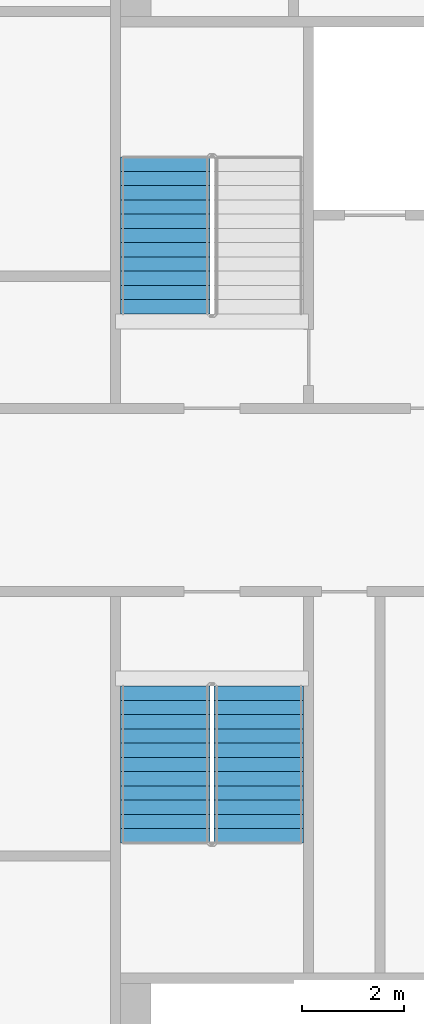
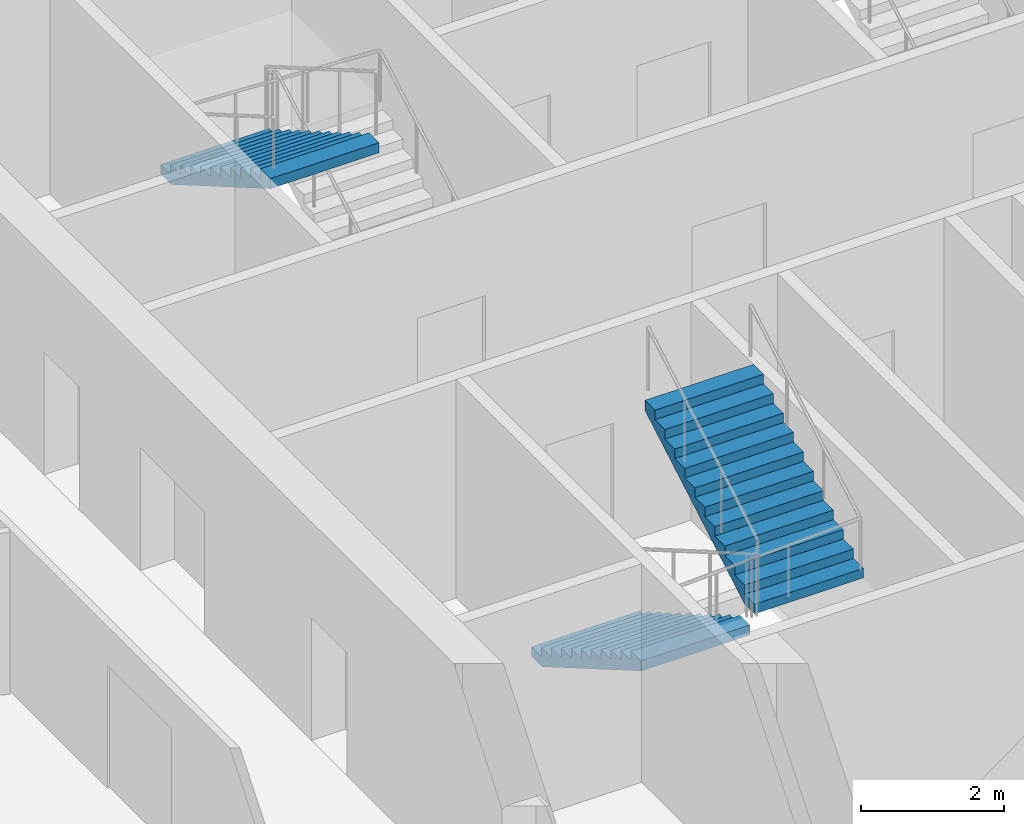
# One storey, part 15 of 22: 3 stair flights, 2 elements without a shape of their own.
"""IFC4 building model written with IfcOpenShell, lengths in metres."""

from ifc_helpers import new_model, si_unit, direction, frame, origin, place, context, subcontext, project, spatial, faceted_brep, material, type_object, element, aggregate, save


model = new_model("IFC4")

# Units and contexts
model_context = context("Model", 3, precision=1e-05, world=origin(), true_north=direction((0.0, 1.0)))
body_context = subcontext(model_context, "Body", "Model", "MODEL_VIEW")
ifc_project = project(units=[si_unit("LENGTHUNIT", "METRE"), si_unit("AREAUNIT", "SQUARE_METRE"), si_unit("VOLUMEUNIT", "CUBIC_METRE"), si_unit("PLANEANGLEUNIT", "RADIAN"), si_unit("MASSUNIT", "GRAM", prefix="KILO")], contexts=[model_context])

# Site, building, storey
site_placement = place(None, origin())
site = spatial("IfcSite", under=ifc_project, at=site_placement, CompositionType="ELEMENT")
building_placement = place(site_placement, origin())
building = spatial("IfcBuilding", under=site, at=building_placement, Name="Tarsis Ring Headquarters", CompositionType="ELEMENT")
storey_placement = place(building_placement, frame((0.0, 0.0, 200.39990234375)))
storey = spatial("IfcBuildingStorey", under=building, at=storey_placement, Name="L46", CompositionType="ELEMENT", Elevation=200.39990234375)

# Stair, stair flight
ifc_material_1 = material(Name="Core stair 1760")
stair_type = type_object("IfcStairType", Name="Core stair 1760", PredefinedType="HALF_TURN_STAIR", material=ifc_material_1)
stair_1_placement = place(storey_placement, origin())
stair_1 = element("IfcStair", 1, at=stair_1_placement, inside=storey, type_object=stair_type, Name="L46 Firefighting stair", PredefinedType="HALF_TURN_STAIR")
ifc_material_2 = material(Name="Concrete C40/50", Category="concrete")
stair_flight_type = type_object("IfcStairFlightType", Name="Core stair flight 1760", PredefinedType="STRAIGHT", material=ifc_material_2)
stair_flight_1_placement = place(storey_placement, frame((-5.419921875, 6.739990234375, 1.9501953125), z_axis=(0.0, 0.0, 1.0), x_axis=(0.0, -1.0, 0.0)))
stair_flight_1 = element("IfcStairFlight", 2, at=stair_flight_1_placement, type_object=stair_flight_type, Name="Stair ST1 flight 2", NumberOfRisers=12, NumberOfTreads=11, PredefinedType="STRAIGHT", RiserHeight=0.1625, TreadLength=0.28, context=body_context, shape_type="Brep", body=[
    faceted_brep([(0.0, 0.8798828125, 0.0), (0.0, 0.8798828125, 0.16259765625), (0.280029296875, 0.8798828125, 0.16259765625), (0.280029296875, 0.8798828125, 0.324951171875), (0.56005859375, 0.8798828125, 0.324951171875), (0.56005859375, 0.8798828125, 0.487548828125), (0.840087890625, 0.8798828125, 0.487548828125), (0.840087890625, 0.8798828125, 0.64990234375), (1.1201171875, 0.8798828125, 0.64990234375), (1.1201171875, 0.8798828125, 0.8125), (1.39990234375, 0.8798828125, 0.8125), (1.39990234375, 0.8798828125, 0.97509765625), (1.679931640625, 0.8798828125, 0.97509765625), (1.679931640625, 0.8798828125, 1.137451171875), (1.9599609375, 0.8798828125, 1.137451171875), (1.9599609375, 0.8798828125, 1.300048828125), (2.239990234375, 0.8798828125, 1.300048828125), (2.239990234375, 0.8798828125, 1.46240234375), (2.52001953125, 0.8798828125, 1.46240234375), (2.52001953125, 0.8798828125, 1.625), (2.800048828125, 0.8798828125, 1.625), (2.800048828125, 0.8798828125, 1.78759765625), (3.080078125, 0.8798828125, 1.78759765625), (3.080078125, 0.8798828125, 1.6142578125), (0.298583984375, 0.8798828125, 0.0), (0.298583984375, -0.8798828125, 0.0), (3.080078125, -0.8798828125, 1.6142578125), (3.080078125, -0.8798828125, 1.78759765625), (2.800048828125, -0.8798828125, 1.78759765625), (2.800048828125, -0.8798828125, 1.625), (2.52001953125, -0.8798828125, 1.625), (2.52001953125, -0.8798828125, 1.46240234375), (2.239990234375, -0.8798828125, 1.46240234375), (2.239990234375, -0.8798828125, 1.300048828125), (1.9599609375, -0.8798828125, 1.300048828125), (1.9599609375, -0.8798828125, 1.137451171875), (1.679931640625, -0.8798828125, 1.137451171875), (1.679931640625, -0.8798828125, 0.97509765625), (1.39990234375, -0.8798828125, 0.97509765625), (1.39990234375, -0.8798828125, 0.8125), (1.1201171875, -0.8798828125, 0.8125), (1.1201171875, -0.8798828125, 0.64990234375), (0.840087890625, -0.8798828125, 0.64990234375), (0.840087890625, -0.8798828125, 0.487548828125), (0.56005859375, -0.8798828125, 0.487548828125), (0.56005859375, -0.8798828125, 0.324951171875), (0.280029296875, -0.8798828125, 0.324951171875), (0.280029296875, -0.8798828125, 0.16259765625), (0.0, -0.8798828125, 0.16259765625), (0.0, -0.8798828125, 0.0), (0.0, -0.43994140625, 0.16259765625), (0.0, -0.43994140625, 0.0), (0.0, 0.0, 0.16259765625), (0.0, 0.0, 0.0), (0.0, 0.43994140625, 0.16259765625), (0.0, 0.43994140625, 0.0), (0.280029296875, -0.43994140625, 0.16259765625), (0.280029296875, 0.0, 0.16259765625), (0.280029296875, 0.43994140625, 0.16259765625), (0.280029296875, -0.43994140625, 0.324951171875), (0.280029296875, 0.0, 0.324951171875), (0.280029296875, 0.43994140625, 0.324951171875), (0.56005859375, -0.43994140625, 0.324951171875), (0.56005859375, 0.0, 0.324951171875), (0.56005859375, 0.43994140625, 0.324951171875), (0.56005859375, -0.43994140625, 0.487548828125), (0.56005859375, 0.0, 0.487548828125), (0.56005859375, 0.43994140625, 0.487548828125), (0.840087890625, -0.43994140625, 0.487548828125), (0.840087890625, 0.0, 0.487548828125), (0.840087890625, 0.43994140625, 0.487548828125), (0.840087890625, -0.43994140625, 0.64990234375), (0.840087890625, 0.0, 0.64990234375), (0.840087890625, 0.43994140625, 0.64990234375), (1.1201171875, -0.43994140625, 0.64990234375), (1.1201171875, 0.0, 0.64990234375), (1.1201171875, 0.43994140625, 0.64990234375), (1.1201171875, -0.43994140625, 0.8125), (1.1201171875, 0.0, 0.8125), (1.1201171875, 0.43994140625, 0.8125), (1.39990234375, -0.43994140625, 0.8125), (1.39990234375, 0.0, 0.8125), (1.39990234375, 0.43994140625, 0.8125), (1.39990234375, -0.43994140625, 0.97509765625), (1.39990234375, 0.0, 0.97509765625), (1.39990234375, 0.43994140625, 0.97509765625), (1.679931640625, -0.43994140625, 0.97509765625), (1.679931640625, 0.0, 0.97509765625), (1.679931640625, 0.43994140625, 0.97509765625), (1.679931640625, -0.43994140625, 1.137451171875), (1.679931640625, 0.0, 1.137451171875), (1.679931640625, 0.43994140625, 1.137451171875), (1.9599609375, -0.43994140625, 1.137451171875), (1.9599609375, 0.0, 1.137451171875), (1.9599609375, 0.43994140625, 1.137451171875), (1.9599609375, -0.43994140625, 1.300048828125), (1.9599609375, 0.0, 1.300048828125), (1.9599609375, 0.43994140625, 1.300048828125), (2.239990234375, -0.43994140625, 1.300048828125), (2.239990234375, 0.0, 1.300048828125), (2.239990234375, 0.43994140625, 1.300048828125), (2.239990234375, -0.43994140625, 1.46240234375), (2.239990234375, 0.0, 1.46240234375), (2.239990234375, 0.43994140625, 1.46240234375), (2.52001953125, -0.43994140625, 1.46240234375), (2.52001953125, 0.0, 1.46240234375), (2.52001953125, 0.43994140625, 1.46240234375), (2.52001953125, -0.43994140625, 1.625), (2.52001953125, 0.0, 1.625), (2.52001953125, 0.43994140625, 1.625), (2.800048828125, -0.43994140625, 1.625), (2.800048828125, 0.0, 1.625), (2.800048828125, 0.43994140625, 1.625), (2.800048828125, -0.43994140625, 1.78759765625), (2.800048828125, 0.0, 1.78759765625), (2.800048828125, 0.43994140625, 1.78759765625), (3.080078125, -0.43994140625, 1.78759765625), (3.080078125, 0.0, 1.78759765625), (3.080078125, 0.43994140625, 1.78759765625), (3.080078125, -0.43994140625, 1.6142578125), (3.080078125, 0.0, 1.6142578125), (3.080078125, 0.43994140625, 1.6142578125), (0.298583984375, -0.43994140625, 0.0), (0.298583984375, 0.0, 0.0), (0.298583984375, 0.43994140625, 0.0)], [[[0, 1, 2, 3, 4, 5, 6, 7, 8, 9, 10, 11, 12, 13, 14, 15, 16, 17, 18, 19, 20, 21, 22, 23, 24]], [[25, 26, 27, 28, 29, 30, 31, 32, 33, 34, 35, 36, 37, 38, 39, 40, 41, 42, 43, 44, 45, 46, 47, 48, 49]], [[49, 48, 50, 51]], [[51, 50, 52, 53]], [[53, 52, 54, 55]], [[55, 54, 1, 0]], [[48, 47, 56, 50]], [[50, 56, 57, 52]], [[52, 57, 58, 54]], [[54, 58, 2, 1]], [[47, 46, 59, 56]], [[56, 59, 60, 57]], [[57, 60, 61, 58]], [[58, 61, 3, 2]], [[46, 45, 62, 59]], [[59, 62, 63, 60]], [[60, 63, 64, 61]], [[61, 64, 4, 3]], [[45, 44, 65, 62]], [[62, 65, 66, 63]], [[63, 66, 67, 64]], [[64, 67, 5, 4]], [[44, 43, 68, 65]], [[65, 68, 69, 66]], [[66, 69, 70, 67]], [[67, 70, 6, 5]], [[43, 42, 71, 68]], [[68, 71, 72, 69]], [[69, 72, 73, 70]], [[70, 73, 7, 6]], [[42, 41, 74, 71]], [[71, 74, 75, 72]], [[72, 75, 76, 73]], [[73, 76, 8, 7]], [[41, 40, 77, 74]], [[74, 77, 78, 75]], [[75, 78, 79, 76]], [[76, 79, 9, 8]], [[40, 39, 80, 77]], [[77, 80, 81, 78]], [[78, 81, 82, 79]], [[79, 82, 10, 9]], [[39, 38, 83, 80]], [[80, 83, 84, 81]], [[81, 84, 85, 82]], [[82, 85, 11, 10]], [[38, 37, 86, 83]], [[83, 86, 87, 84]], [[84, 87, 88, 85]], [[85, 88, 12, 11]], [[37, 36, 89, 86]], [[86, 89, 90, 87]], [[87, 90, 91, 88]], [[88, 91, 13, 12]], [[36, 35, 92, 89]], [[89, 92, 93, 90]], [[90, 93, 94, 91]], [[91, 94, 14, 13]], [[35, 34, 95, 92]], [[92, 95, 96, 93]], [[93, 96, 97, 94]], [[94, 97, 15, 14]], [[34, 33, 98, 95]], [[95, 98, 99, 96]], [[96, 99, 100, 97]], [[97, 100, 16, 15]], [[33, 32, 101, 98]], [[98, 101, 102, 99]], [[99, 102, 103, 100]], [[100, 103, 17, 16]], [[32, 31, 104, 101]], [[101, 104, 105, 102]], [[102, 105, 106, 103]], [[103, 106, 18, 17]], [[31, 30, 107, 104]], [[104, 107, 108, 105]], [[105, 108, 109, 106]], [[106, 109, 19, 18]], [[30, 29, 110, 107]], [[107, 110, 111, 108]], [[108, 111, 112, 109]], [[109, 112, 20, 19]], [[29, 28, 113, 110]], [[110, 113, 114, 111]], [[111, 114, 115, 112]], [[112, 115, 21, 20]], [[28, 27, 116, 113]], [[113, 116, 117, 114]], [[114, 117, 118, 115]], [[115, 118, 22, 21]], [[27, 26, 119, 116]], [[116, 119, 120, 117]], [[117, 120, 121, 118]], [[118, 121, 23, 22]], [[26, 25, 122, 119]], [[119, 122, 123, 120]], [[120, 123, 124, 121]], [[121, 124, 24, 23]], [[25, 49, 51, 122]], [[122, 51, 53, 123]], [[123, 53, 55, 124]], [[124, 55, 0, 24]]]),
])
aggregate(stair_1, [stair_flight_1])

# Stair, stair flights
stair_2_placement = place(storey_placement, origin())
stair_2 = element("IfcStair", 3, at=stair_2_placement, inside=storey, type_object=stair_type, Name="L46 Exit stair C", PredefinedType="HALF_TURN_STAIR")
stair_flight_2_placement = place(storey_placement, frame((-5.419921875, -3.659912109375, 0.0), z_axis=(0.0, 0.0, 1.0), x_axis=(0.0, -1.0, 0.0)))
stair_flight_2 = element("IfcStairFlight", 4, at=stair_flight_2_placement, type_object=stair_flight_type, Name="Stair ST3 flight 1", NumberOfRisers=12, NumberOfTreads=11, PredefinedType="STRAIGHT", RiserHeight=0.1625, TreadLength=0.28, context=body_context, shape_type="Brep", body=[
    faceted_brep([(0.0, 0.8798828125, 0.0), (0.0, 0.8798828125, 0.16259765625), (0.280029296875, 0.8798828125, 0.16259765625), (0.280029296875, 0.8798828125, 0.324951171875), (0.56005859375, 0.8798828125, 0.324951171875), (0.56005859375, 0.8798828125, 0.487548828125), (0.840087890625, 0.8798828125, 0.487548828125), (0.840087890625, 0.8798828125, 0.64990234375), (1.1201171875, 0.8798828125, 0.64990234375), (1.1201171875, 0.8798828125, 0.8125), (1.39990234375, 0.8798828125, 0.8125), (1.39990234375, 0.8798828125, 0.97509765625), (1.679931640625, 0.8798828125, 0.97509765625), (1.679931640625, 0.8798828125, 1.137451171875), (1.9599609375, 0.8798828125, 1.137451171875), (1.9599609375, 0.8798828125, 1.300048828125), (2.239990234375, 0.8798828125, 1.300048828125), (2.239990234375, 0.8798828125, 1.46240234375), (2.52001953125, 0.8798828125, 1.46240234375), (2.52001953125, 0.8798828125, 1.625), (2.800048828125, 0.8798828125, 1.625), (2.800048828125, 0.8798828125, 1.78759765625), (3.080078125, 0.8798828125, 1.78759765625), (3.080078125, 0.8798828125, 1.6142578125), (0.298583984375, 0.8798828125, 0.0), (0.298583984375, -0.8798828125, 0.0), (3.080078125, -0.8798828125, 1.6142578125), (3.080078125, -0.8798828125, 1.78759765625), (2.800048828125, -0.8798828125, 1.78759765625), (2.800048828125, -0.8798828125, 1.625), (2.52001953125, -0.8798828125, 1.625), (2.52001953125, -0.8798828125, 1.46240234375), (2.239990234375, -0.8798828125, 1.46240234375), (2.239990234375, -0.8798828125, 1.300048828125), (1.9599609375, -0.8798828125, 1.300048828125), (1.9599609375, -0.8798828125, 1.137451171875), (1.679931640625, -0.8798828125, 1.137451171875), (1.679931640625, -0.8798828125, 0.97509765625), (1.39990234375, -0.8798828125, 0.97509765625), (1.39990234375, -0.8798828125, 0.8125), (1.1201171875, -0.8798828125, 0.8125), (1.1201171875, -0.8798828125, 0.64990234375), (0.840087890625, -0.8798828125, 0.64990234375), (0.840087890625, -0.8798828125, 0.487548828125), (0.56005859375, -0.8798828125, 0.487548828125), (0.56005859375, -0.8798828125, 0.324951171875), (0.280029296875, -0.8798828125, 0.324951171875), (0.280029296875, -0.8798828125, 0.16259765625), (0.0, -0.8798828125, 0.16259765625), (0.0, -0.8798828125, 0.0), (0.0, -0.43994140625, 0.16259765625), (0.0, -0.43994140625, 0.0), (0.0, 0.0, 0.16259765625), (0.0, 0.0, 0.0), (0.0, 0.43994140625, 0.16259765625), (0.0, 0.43994140625, 0.0), (0.280029296875, -0.43994140625, 0.16259765625), (0.280029296875, 0.0, 0.16259765625), (0.280029296875, 0.43994140625, 0.16259765625), (0.280029296875, -0.43994140625, 0.324951171875), (0.280029296875, 0.0, 0.324951171875), (0.280029296875, 0.43994140625, 0.324951171875), (0.56005859375, -0.43994140625, 0.324951171875), (0.56005859375, 0.0, 0.324951171875), (0.56005859375, 0.43994140625, 0.324951171875), (0.56005859375, -0.43994140625, 0.487548828125), (0.56005859375, 0.0, 0.487548828125), (0.56005859375, 0.43994140625, 0.487548828125), (0.840087890625, -0.43994140625, 0.487548828125), (0.840087890625, 0.0, 0.487548828125), (0.840087890625, 0.43994140625, 0.487548828125), (0.840087890625, -0.43994140625, 0.64990234375), (0.840087890625, 0.0, 0.64990234375), (0.840087890625, 0.43994140625, 0.64990234375), (1.1201171875, -0.43994140625, 0.64990234375), (1.1201171875, 0.0, 0.64990234375), (1.1201171875, 0.43994140625, 0.64990234375), (1.1201171875, -0.43994140625, 0.8125), (1.1201171875, 0.0, 0.8125), (1.1201171875, 0.43994140625, 0.8125), (1.39990234375, -0.43994140625, 0.8125), (1.39990234375, 0.0, 0.8125), (1.39990234375, 0.43994140625, 0.8125), (1.39990234375, -0.43994140625, 0.97509765625), (1.39990234375, 0.0, 0.97509765625), (1.39990234375, 0.43994140625, 0.97509765625), (1.679931640625, -0.43994140625, 0.97509765625), (1.679931640625, 0.0, 0.97509765625), (1.679931640625, 0.43994140625, 0.97509765625), (1.679931640625, -0.43994140625, 1.137451171875), (1.679931640625, 0.0, 1.137451171875), (1.679931640625, 0.43994140625, 1.137451171875), (1.9599609375, -0.43994140625, 1.137451171875), (1.9599609375, 0.0, 1.137451171875), (1.9599609375, 0.43994140625, 1.137451171875), (1.9599609375, -0.43994140625, 1.300048828125), (1.9599609375, 0.0, 1.300048828125), (1.9599609375, 0.43994140625, 1.300048828125), (2.239990234375, -0.43994140625, 1.300048828125), (2.239990234375, 0.0, 1.300048828125), (2.239990234375, 0.43994140625, 1.300048828125), (2.239990234375, -0.43994140625, 1.46240234375), (2.239990234375, 0.0, 1.46240234375), (2.239990234375, 0.43994140625, 1.46240234375), (2.52001953125, -0.43994140625, 1.46240234375), (2.52001953125, 0.0, 1.46240234375), (2.52001953125, 0.43994140625, 1.46240234375), (2.52001953125, -0.43994140625, 1.625), (2.52001953125, 0.0, 1.625), (2.52001953125, 0.43994140625, 1.625), (2.800048828125, -0.43994140625, 1.625), (2.800048828125, 0.0, 1.625), (2.800048828125, 0.43994140625, 1.625), (2.800048828125, -0.43994140625, 1.78759765625), (2.800048828125, 0.0, 1.78759765625), (2.800048828125, 0.43994140625, 1.78759765625), (3.080078125, -0.43994140625, 1.78759765625), (3.080078125, 0.0, 1.78759765625), (3.080078125, 0.43994140625, 1.78759765625), (3.080078125, -0.43994140625, 1.6142578125), (3.080078125, 0.0, 1.6142578125), (3.080078125, 0.43994140625, 1.6142578125), (0.298583984375, -0.43994140625, 0.0), (0.298583984375, 0.0, 0.0), (0.298583984375, 0.43994140625, 0.0)], [[[0, 1, 2, 3, 4, 5, 6, 7, 8, 9, 10, 11, 12, 13, 14, 15, 16, 17, 18, 19, 20, 21, 22, 23, 24]], [[25, 26, 27, 28, 29, 30, 31, 32, 33, 34, 35, 36, 37, 38, 39, 40, 41, 42, 43, 44, 45, 46, 47, 48, 49]], [[49, 48, 50, 51]], [[51, 50, 52, 53]], [[53, 52, 54, 55]], [[55, 54, 1, 0]], [[48, 47, 56, 50]], [[50, 56, 57, 52]], [[52, 57, 58, 54]], [[54, 58, 2, 1]], [[47, 46, 59, 56]], [[56, 59, 60, 57]], [[57, 60, 61, 58]], [[58, 61, 3, 2]], [[46, 45, 62, 59]], [[59, 62, 63, 60]], [[60, 63, 64, 61]], [[61, 64, 4, 3]], [[45, 44, 65, 62]], [[62, 65, 66, 63]], [[63, 66, 67, 64]], [[64, 67, 5, 4]], [[44, 43, 68, 65]], [[65, 68, 69, 66]], [[66, 69, 70, 67]], [[67, 70, 6, 5]], [[43, 42, 71, 68]], [[68, 71, 72, 69]], [[69, 72, 73, 70]], [[70, 73, 7, 6]], [[42, 41, 74, 71]], [[71, 74, 75, 72]], [[72, 75, 76, 73]], [[73, 76, 8, 7]], [[41, 40, 77, 74]], [[74, 77, 78, 75]], [[75, 78, 79, 76]], [[76, 79, 9, 8]], [[40, 39, 80, 77]], [[77, 80, 81, 78]], [[78, 81, 82, 79]], [[79, 82, 10, 9]], [[39, 38, 83, 80]], [[80, 83, 84, 81]], [[81, 84, 85, 82]], [[82, 85, 11, 10]], [[38, 37, 86, 83]], [[83, 86, 87, 84]], [[84, 87, 88, 85]], [[85, 88, 12, 11]], [[37, 36, 89, 86]], [[86, 89, 90, 87]], [[87, 90, 91, 88]], [[88, 91, 13, 12]], [[36, 35, 92, 89]], [[89, 92, 93, 90]], [[90, 93, 94, 91]], [[91, 94, 14, 13]], [[35, 34, 95, 92]], [[92, 95, 96, 93]], [[93, 96, 97, 94]], [[94, 97, 15, 14]], [[34, 33, 98, 95]], [[95, 98, 99, 96]], [[96, 99, 100, 97]], [[97, 100, 16, 15]], [[33, 32, 101, 98]], [[98, 101, 102, 99]], [[99, 102, 103, 100]], [[100, 103, 17, 16]], [[32, 31, 104, 101]], [[101, 104, 105, 102]], [[102, 105, 106, 103]], [[103, 106, 18, 17]], [[31, 30, 107, 104]], [[104, 107, 108, 105]], [[105, 108, 109, 106]], [[106, 109, 19, 18]], [[30, 29, 110, 107]], [[107, 110, 111, 108]], [[108, 111, 112, 109]], [[109, 112, 20, 19]], [[29, 28, 113, 110]], [[110, 113, 114, 111]], [[111, 114, 115, 112]], [[112, 115, 21, 20]], [[28, 27, 116, 113]], [[113, 116, 117, 114]], [[114, 117, 118, 115]], [[115, 118, 22, 21]], [[27, 26, 119, 116]], [[116, 119, 120, 117]], [[117, 120, 121, 118]], [[118, 121, 23, 22]], [[26, 25, 122, 119]], [[119, 122, 123, 120]], [[120, 123, 124, 121]], [[121, 124, 24, 23]], [[25, 49, 51, 122]], [[122, 51, 53, 123]], [[123, 53, 55, 124]], [[124, 55, 0, 24]]]),
])
stair_flight_3_placement = place(storey_placement, frame((-3.580078125, -6.739990234375, 1.9501953125), z_axis=(0.0, 0.0, 1.0), x_axis=(0.0, 1.0, 0.0)))
stair_flight_3 = element("IfcStairFlight", 5, at=stair_flight_3_placement, type_object=stair_flight_type, Name="Stair ST3 flight 2", NumberOfRisers=12, NumberOfTreads=11, PredefinedType="STRAIGHT", RiserHeight=0.1625, TreadLength=0.28, context=body_context, shape_type="Brep", body=[
    faceted_brep([(0.0, 0.8798828125, 0.0), (0.0, 0.8798828125, 0.16259765625), (0.280029296875, 0.8798828125, 0.16259765625), (0.280029296875, 0.8798828125, 0.324951171875), (0.56005859375, 0.8798828125, 0.324951171875), (0.56005859375, 0.8798828125, 0.487548828125), (0.840087890625, 0.8798828125, 0.487548828125), (0.840087890625, 0.8798828125, 0.64990234375), (1.1201171875, 0.8798828125, 0.64990234375), (1.1201171875, 0.8798828125, 0.8125), (1.39990234375, 0.8798828125, 0.8125), (1.39990234375, 0.8798828125, 0.97509765625), (1.679931640625, 0.8798828125, 0.97509765625), (1.679931640625, 0.8798828125, 1.137451171875), (1.9599609375, 0.8798828125, 1.137451171875), (1.9599609375, 0.8798828125, 1.300048828125), (2.239990234375, 0.8798828125, 1.300048828125), (2.239990234375, 0.8798828125, 1.46240234375), (2.52001953125, 0.8798828125, 1.46240234375), (2.52001953125, 0.8798828125, 1.625), (2.800048828125, 0.8798828125, 1.625), (2.800048828125, 0.8798828125, 1.78759765625), (3.080078125, 0.8798828125, 1.78759765625), (3.080078125, 0.8798828125, 1.6142578125), (0.298583984375, 0.8798828125, 0.0), (0.298583984375, -0.8798828125, 0.0), (3.080078125, -0.8798828125, 1.6142578125), (3.080078125, -0.8798828125, 1.78759765625), (2.800048828125, -0.8798828125, 1.78759765625), (2.800048828125, -0.8798828125, 1.625), (2.52001953125, -0.8798828125, 1.625), (2.52001953125, -0.8798828125, 1.46240234375), (2.239990234375, -0.8798828125, 1.46240234375), (2.239990234375, -0.8798828125, 1.300048828125), (1.9599609375, -0.8798828125, 1.300048828125), (1.9599609375, -0.8798828125, 1.137451171875), (1.679931640625, -0.8798828125, 1.137451171875), (1.679931640625, -0.8798828125, 0.97509765625), (1.39990234375, -0.8798828125, 0.97509765625), (1.39990234375, -0.8798828125, 0.8125), (1.1201171875, -0.8798828125, 0.8125), (1.1201171875, -0.8798828125, 0.64990234375), (0.840087890625, -0.8798828125, 0.64990234375), (0.840087890625, -0.8798828125, 0.487548828125), (0.56005859375, -0.8798828125, 0.487548828125), (0.56005859375, -0.8798828125, 0.324951171875), (0.280029296875, -0.8798828125, 0.324951171875), (0.280029296875, -0.8798828125, 0.16259765625), (0.0, -0.8798828125, 0.16259765625), (0.0, -0.8798828125, 0.0), (0.0, -0.43994140625, 0.16259765625), (0.0, -0.43994140625, 0.0), (0.0, 0.0, 0.16259765625), (0.0, 0.0, 0.0), (0.0, 0.43994140625, 0.16259765625), (0.0, 0.43994140625, 0.0), (0.280029296875, -0.43994140625, 0.16259765625), (0.280029296875, 0.0, 0.16259765625), (0.280029296875, 0.43994140625, 0.16259765625), (0.280029296875, -0.43994140625, 0.324951171875), (0.280029296875, 0.0, 0.324951171875), (0.280029296875, 0.43994140625, 0.324951171875), (0.56005859375, -0.43994140625, 0.324951171875), (0.56005859375, 0.0, 0.324951171875), (0.56005859375, 0.43994140625, 0.324951171875), (0.56005859375, -0.43994140625, 0.487548828125), (0.56005859375, 0.0, 0.487548828125), (0.56005859375, 0.43994140625, 0.487548828125), (0.840087890625, -0.43994140625, 0.487548828125), (0.840087890625, 0.0, 0.487548828125), (0.840087890625, 0.43994140625, 0.487548828125), (0.840087890625, -0.43994140625, 0.64990234375), (0.840087890625, 0.0, 0.64990234375), (0.840087890625, 0.43994140625, 0.64990234375), (1.1201171875, -0.43994140625, 0.64990234375), (1.1201171875, 0.0, 0.64990234375), (1.1201171875, 0.43994140625, 0.64990234375), (1.1201171875, -0.43994140625, 0.8125), (1.1201171875, 0.0, 0.8125), (1.1201171875, 0.43994140625, 0.8125), (1.39990234375, -0.43994140625, 0.8125), (1.39990234375, 0.0, 0.8125), (1.39990234375, 0.43994140625, 0.8125), (1.39990234375, -0.43994140625, 0.97509765625), (1.39990234375, 0.0, 0.97509765625), (1.39990234375, 0.43994140625, 0.97509765625), (1.679931640625, -0.43994140625, 0.97509765625), (1.679931640625, 0.0, 0.97509765625), (1.679931640625, 0.43994140625, 0.97509765625), (1.679931640625, -0.43994140625, 1.137451171875), (1.679931640625, 0.0, 1.137451171875), (1.679931640625, 0.43994140625, 1.137451171875), (1.9599609375, -0.43994140625, 1.137451171875), (1.9599609375, 0.0, 1.137451171875), (1.9599609375, 0.43994140625, 1.137451171875), (1.9599609375, -0.43994140625, 1.300048828125), (1.9599609375, 0.0, 1.300048828125), (1.9599609375, 0.43994140625, 1.300048828125), (2.239990234375, -0.43994140625, 1.300048828125), (2.239990234375, 0.0, 1.300048828125), (2.239990234375, 0.43994140625, 1.300048828125), (2.239990234375, -0.43994140625, 1.46240234375), (2.239990234375, 0.0, 1.46240234375), (2.239990234375, 0.43994140625, 1.46240234375), (2.52001953125, -0.43994140625, 1.46240234375), (2.52001953125, 0.0, 1.46240234375), (2.52001953125, 0.43994140625, 1.46240234375), (2.52001953125, -0.43994140625, 1.625), (2.52001953125, 0.0, 1.625), (2.52001953125, 0.43994140625, 1.625), (2.800048828125, -0.43994140625, 1.625), (2.800048828125, 0.0, 1.625), (2.800048828125, 0.43994140625, 1.625), (2.800048828125, -0.43994140625, 1.78759765625), (2.800048828125, 0.0, 1.78759765625), (2.800048828125, 0.43994140625, 1.78759765625), (3.080078125, -0.43994140625, 1.78759765625), (3.080078125, 0.0, 1.78759765625), (3.080078125, 0.43994140625, 1.78759765625), (3.080078125, -0.43994140625, 1.6142578125), (3.080078125, 0.0, 1.6142578125), (3.080078125, 0.43994140625, 1.6142578125), (0.298583984375, -0.43994140625, 0.0), (0.298583984375, 0.0, 0.0), (0.298583984375, 0.43994140625, 0.0)], [[[0, 1, 2, 3, 4, 5, 6, 7, 8, 9, 10, 11, 12, 13, 14, 15, 16, 17, 18, 19, 20, 21, 22, 23, 24]], [[25, 26, 27, 28, 29, 30, 31, 32, 33, 34, 35, 36, 37, 38, 39, 40, 41, 42, 43, 44, 45, 46, 47, 48, 49]], [[49, 48, 50, 51]], [[51, 50, 52, 53]], [[53, 52, 54, 55]], [[55, 54, 1, 0]], [[48, 47, 56, 50]], [[50, 56, 57, 52]], [[52, 57, 58, 54]], [[54, 58, 2, 1]], [[47, 46, 59, 56]], [[56, 59, 60, 57]], [[57, 60, 61, 58]], [[58, 61, 3, 2]], [[46, 45, 62, 59]], [[59, 62, 63, 60]], [[60, 63, 64, 61]], [[61, 64, 4, 3]], [[45, 44, 65, 62]], [[62, 65, 66, 63]], [[63, 66, 67, 64]], [[64, 67, 5, 4]], [[44, 43, 68, 65]], [[65, 68, 69, 66]], [[66, 69, 70, 67]], [[67, 70, 6, 5]], [[43, 42, 71, 68]], [[68, 71, 72, 69]], [[69, 72, 73, 70]], [[70, 73, 7, 6]], [[42, 41, 74, 71]], [[71, 74, 75, 72]], [[72, 75, 76, 73]], [[73, 76, 8, 7]], [[41, 40, 77, 74]], [[74, 77, 78, 75]], [[75, 78, 79, 76]], [[76, 79, 9, 8]], [[40, 39, 80, 77]], [[77, 80, 81, 78]], [[78, 81, 82, 79]], [[79, 82, 10, 9]], [[39, 38, 83, 80]], [[80, 83, 84, 81]], [[81, 84, 85, 82]], [[82, 85, 11, 10]], [[38, 37, 86, 83]], [[83, 86, 87, 84]], [[84, 87, 88, 85]], [[85, 88, 12, 11]], [[37, 36, 89, 86]], [[86, 89, 90, 87]], [[87, 90, 91, 88]], [[88, 91, 13, 12]], [[36, 35, 92, 89]], [[89, 92, 93, 90]], [[90, 93, 94, 91]], [[91, 94, 14, 13]], [[35, 34, 95, 92]], [[92, 95, 96, 93]], [[93, 96, 97, 94]], [[94, 97, 15, 14]], [[34, 33, 98, 95]], [[95, 98, 99, 96]], [[96, 99, 100, 97]], [[97, 100, 16, 15]], [[33, 32, 101, 98]], [[98, 101, 102, 99]], [[99, 102, 103, 100]], [[100, 103, 17, 16]], [[32, 31, 104, 101]], [[101, 104, 105, 102]], [[102, 105, 106, 103]], [[103, 106, 18, 17]], [[31, 30, 107, 104]], [[104, 107, 108, 105]], [[105, 108, 109, 106]], [[106, 109, 19, 18]], [[30, 29, 110, 107]], [[107, 110, 111, 108]], [[108, 111, 112, 109]], [[109, 112, 20, 19]], [[29, 28, 113, 110]], [[110, 113, 114, 111]], [[111, 114, 115, 112]], [[112, 115, 21, 20]], [[28, 27, 116, 113]], [[113, 116, 117, 114]], [[114, 117, 118, 115]], [[115, 118, 22, 21]], [[27, 26, 119, 116]], [[116, 119, 120, 117]], [[117, 120, 121, 118]], [[118, 121, 23, 22]], [[26, 25, 122, 119]], [[119, 122, 123, 120]], [[120, 123, 124, 121]], [[121, 124, 24, 23]], [[25, 49, 51, 122]], [[122, 51, 53, 123]], [[123, 53, 55, 124]], [[124, 55, 0, 24]]]),
])
aggregate(stair_2, [stair_flight_2, stair_flight_3])

save(model, "model.ifc")
